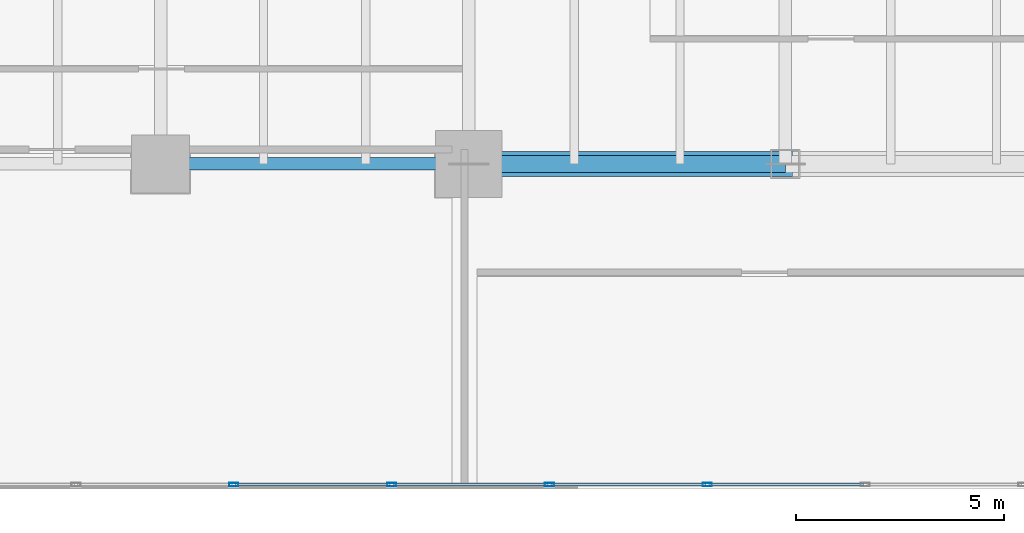
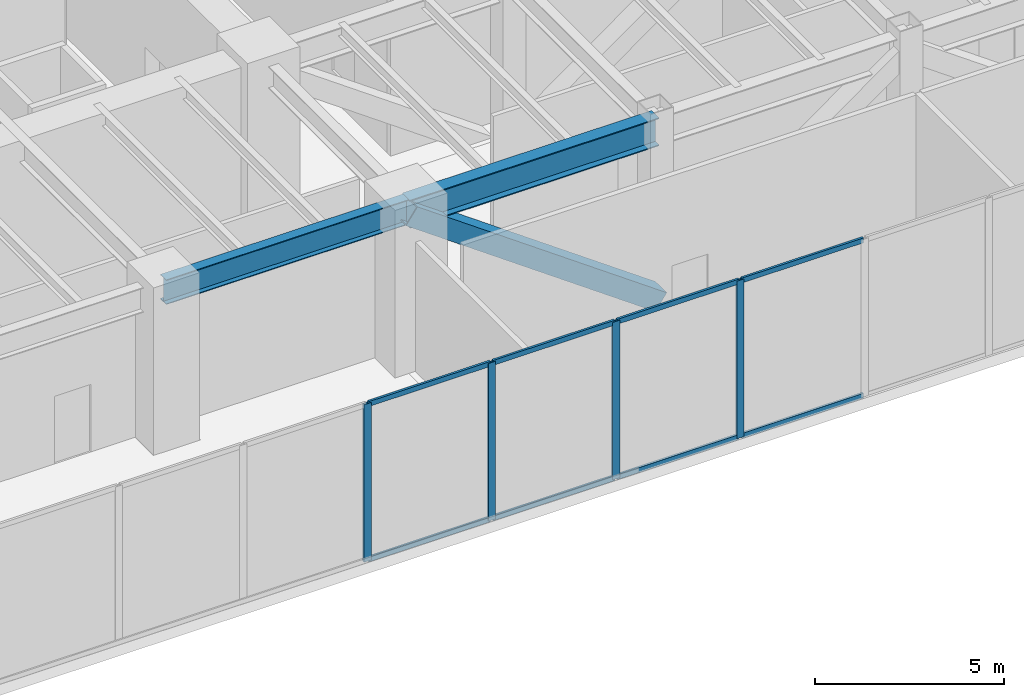
# One storey, part 4 of 35: 13 members, 2 beams, 1 element without a shape of its own.
"""IFC4 building model written with IfcOpenShell, lengths in metres."""

from ifc_helpers import new_model, si_unit, direction, frame, origin, origin_2d, place, context, subcontext, project, spatial, hollow_rectangle, i_section, extrude, source, transform, mapped, material, layer, layer_set, material_profile, profile_set, type_object, type_shapes, element, aggregate, save


model = new_model("IFC4")

# Units and contexts
model_context = context("Model", 3, precision=1e-05, world=origin(), true_north=direction((0.0, 1.0)))
body_context = subcontext(model_context, "Body", "Model", "MODEL_VIEW")
ifc_project = project(units=[si_unit("LENGTHUNIT", "METRE"), si_unit("AREAUNIT", "SQUARE_METRE"), si_unit("VOLUMEUNIT", "CUBIC_METRE"), si_unit("PLANEANGLEUNIT", "RADIAN"), si_unit("MASSUNIT", "GRAM", prefix="KILO")], contexts=[model_context])

# Site, building, storey
site_placement = place(None, origin())
site = spatial("IfcSite", under=ifc_project, at=site_placement, CompositionType="ELEMENT")
building_placement = place(site_placement, origin())
building = spatial("IfcBuilding", under=site, at=building_placement, Name="Haelvirn Gate Laboratories", CompositionType="ELEMENT")
storey_placement = place(building_placement, frame((0.0, 0.0, 19.800048828125)))
storey = spatial("IfcBuildingStorey", under=building, at=storey_placement, Name="L05", CompositionType="ELEMENT", Elevation=19.800048828125)

# Beams
ifc_material_1 = material(Name="Steel SM420", Category="steel")
ifc_material_profile_1 = material_profile(ifc_material_1, i_section(OverallWidth=0.300048828125, OverallDepth=0.800048828125, WebThickness=0.013916015625, FlangeThickness=0.02587890625, at=origin_2d()), Name="H-800x300x14x26")
ifc_profile_set_1 = profile_set([ifc_material_profile_1], Name="Steel SM420")
beam_type_1 = type_object("IfcBeamType", Name="BM-G-800", PredefinedType="BEAM", material=ifc_profile_set_1)
shared_shape_1 = source(origin(), body_context, "Body", "SweptSolid", [
    extrude(i_section(OverallWidth=0.300048828125, OverallDepth=0.800048828125, WebThickness=0.013916015625, FlangeThickness=0.02587890625, at=origin_2d()), origin(), (0.0, 0.0, 1.0), 7.39990234375),
])
type_shapes(beam_type_1, [shared_shape_1])
beam_1_placement = place(storey_placement, frame((14.800048828125, 7.0, 4.679931640625), z_axis=(1.0, 0.0, 0.0), x_axis=(0.0, 1.0, 0.0)))
element("IfcBeam", 1, at=beam_1_placement, inside=storey, type_object=beam_type_1, Name="L05 Primary Girder Y7.0 (14.8-22.2)", PredefinedType="BEAM", context=body_context, shape_type="MappedRepresentation", body=[
    mapped(shared_shape_1, transform((0.0, 0.0, 0.0), scale=1.0)),
])
ifc_material_profile_2 = material_profile(ifc_material_1, i_section(OverallWidth=0.39990234375, OverallDepth=0.89990234375, WebThickness=0.01904296875, FlangeThickness=0.031982421875, at=origin_2d()), Name="H-900x400x19x32")
ifc_profile_set_2 = profile_set([ifc_material_profile_2], Name="Steel SM420")
beam_type_2 = type_object("IfcBeamType", Name="BM-TG-900", PredefinedType="BEAM", material=ifc_profile_set_2)
shared_shape_2 = source(origin(), body_context, "Body", "SweptSolid", [
    extrude(i_section(OverallWidth=0.39990234375, OverallDepth=0.89990234375, WebThickness=0.01904296875, FlangeThickness=0.031982421875, at=origin_2d()), origin(), (0.0, 0.0, 1.0), 7.60009765625),
])
type_shapes(beam_type_2, [shared_shape_2])
beam_2_placement = place(storey_placement, frame((22.199951171875, 7.0, 4.6298828125), z_axis=(1.0, 0.0, 0.0), x_axis=(0.0, 1.0, 0.0)))
element("IfcBeam", 2, at=beam_2_placement, inside=storey, type_object=beam_type_2, Name="L05 Primary Girder Y7.0 (22.2-29.8)", PredefinedType="BEAM", context=body_context, shape_type="MappedRepresentation", body=[
    mapped(shared_shape_2, transform((0.0, 0.0, 0.0), scale=1.0)),
])

# Member
ifc_material_profile_3 = material_profile(ifc_material_1, hollow_rectangle(XDim=0.60009765625, YDim=0.60009765625, WallThickness=0.028076171875, at=origin_2d()), Name="BOX-600x600x28")
ifc_profile_set_3 = profile_set([ifc_material_profile_3], Name="Steel SM420")
member_type_1 = type_object("IfcMemberType", Name="MEM-TRUSS-DIAG", PredefinedType="BRACE", material=ifc_profile_set_3)
shared_shape_3 = source(origin(), body_context, "Body", "SweptSolid", [
    extrude(hollow_rectangle(XDim=0.60009765625, YDim=0.60009765625, WallThickness=0.028076171875, at=origin_2d()), origin(), (0.0, 0.0, 1.0), 9.340576171875),
])
type_shapes(member_type_1, [shared_shape_3])
member_1_placement = place(storey_placement, frame((22.199951171875, 7.0, 4.6298828125), z_axis=(0.813668121692, 0.0, -0.581329672167), x_axis=(0.0, 1.0, 0.0)))
element("IfcMember", 3, at=member_1_placement, inside=storey, type_object=member_type_1, Name="L05 Portal Transfer Truss Diagonal Y7.0-1", PredefinedType="BRACE", context=body_context, shape_type="MappedRepresentation", body=[
    mapped(shared_shape_3, transform((0.0, 0.0, 0.0), scale=1.0)),
])

# Curtain wall, members
ifc_material_2 = material(Name="Anodised bronze unitised aluminium & triple low-E glass", Category="aluminium")
ifc_layer = layer(ifc_material_2, 0.18798828125, Name="CW-SYS-1")
ifc_layer_set = layer_set([ifc_layer], Name="Anodised bronze unitised aluminium & triple low-E glass")
curtain_wall_type = type_object("IfcCurtainWallType", Name="CW-SYS-1", PredefinedType="NOTDEFINED", material=ifc_layer_set)
curtain_wall_placement = place(storey_placement, origin())
curtain_wall = element("IfcCurtainWall", 4, at=curtain_wall_placement, inside=storey, type_object=curtain_wall_type, Name="L05 Unitised Curtain Wall CW-L05-P0-E00-1", PredefinedType="NOTDEFINED")
ifc_material_3 = material(Name="Extruded aluminium 6063-T6 (anodised bronze)", Category="aluminium")
ifc_material_profile_4 = material_profile(ifc_material_3, hollow_rectangle(XDim=0.080078125, YDim=0.219970703125, WallThickness=0.006103515625, at=origin_2d()), Name="CWM-220x80x6")
ifc_profile_set_4 = profile_set([ifc_material_profile_4], Name="Extruded aluminium 6063-T6 (anodised bronze)")
member_type_2 = type_object("IfcMemberType", Name="CWM-T220", PredefinedType="MULLION", material=ifc_profile_set_4)
shared_shape_4 = source(origin(), body_context, "Body", "SweptSolid", [
    extrude(hollow_rectangle(XDim=0.080078125, YDim=0.219970703125, WallThickness=0.006103515625, at=origin_2d()), origin(), (0.0, 0.0, 1.0), 5.079833984375),
])
type_shapes(member_type_2, [shared_shape_4])
member_2_placement = place(storey_placement, frame((16.557861328125, -0.699951171875, 0.0), z_axis=(0.0, 0.0, 1.0), x_axis=(0.0, 1.0, 0.0)))
member_2 = element("IfcMember", 5, at=member_2_placement, type_object=member_type_2, Name="CW1 mullion 5", PredefinedType="MULLION", context=body_context, shape_type="MappedRepresentation", body=[
    mapped(shared_shape_4, transform((0.0, 0.0, 0.0), scale=1.0)),
])
member_3_placement = place(storey_placement, frame((20.347412109375, -0.699951171875, 0.0), z_axis=(0.0, 0.0, 1.0), x_axis=(0.0, 1.0, 0.0)))
member_3 = element("IfcMember", 6, at=member_3_placement, type_object=member_type_2, Name="CW1 mullion 6", PredefinedType="MULLION", context=body_context, shape_type="MappedRepresentation", body=[
    mapped(shared_shape_4, transform((0.0, 0.0, 0.0), scale=1.0)),
])
member_4_placement = place(storey_placement, frame((24.136962890625, -0.699951171875, 0.0), z_axis=(0.0, 0.0, 1.0), x_axis=(0.0, 1.0, 0.0)))
member_4 = element("IfcMember", 7, at=member_4_placement, type_object=member_type_2, Name="CW1 mullion 7", PredefinedType="MULLION", context=body_context, shape_type="MappedRepresentation", body=[
    mapped(shared_shape_4, transform((0.0, 0.0, 0.0), scale=1.0)),
])
member_5_placement = place(storey_placement, frame((27.92626953125, -0.699951171875, 0.0), z_axis=(0.0, 0.0, 1.0), x_axis=(0.0, 1.0, 0.0)))
member_5 = element("IfcMember", 8, at=member_5_placement, type_object=member_type_2, Name="CW1 mullion 8", PredefinedType="MULLION", context=body_context, shape_type="MappedRepresentation", body=[
    mapped(shared_shape_4, transform((0.0, 0.0, 0.0), scale=1.0)),
])
ifc_material_profile_5 = material_profile(ifc_material_3, hollow_rectangle(XDim=0.070068359375, YDim=0.159912109375, WallThickness=0.0048828125, at=origin_2d()), Name="CWT-160x70x5")
ifc_profile_set_5 = profile_set([ifc_material_profile_5], Name="Extruded aluminium 6063-T6 (anodised bronze)")
member_type_3 = type_object("IfcMemberType", Name="CWT-T160", PredefinedType="USERDEFINED", material=ifc_profile_set_5)
shared_shape_5 = source(origin(), body_context, "Body", "SweptSolid", [
    extrude(hollow_rectangle(XDim=0.070068359375, YDim=0.159912109375, WallThickness=0.0048828125, at=origin_2d()), origin(), (0.0, 0.0, 1.0), 3.70947265625),
])
type_shapes(member_type_3, [shared_shape_5])
member_6_placement = place(storey_placement, frame((16.597900390625, -0.699951171875, 0.034912109375), z_axis=(1.0, 0.0, 0.0), x_axis=(0.0, 1.0, 0.0)))
member_6 = element("IfcMember", 9, at=member_6_placement, type_object=member_type_3, Name="CW1 transom 5.1", ObjectType="TRANSOM", PredefinedType="USERDEFINED", context=body_context, shape_type="MappedRepresentation", body=[
    mapped(shared_shape_5, transform((0.0, 0.0, 0.0), scale=1.0)),
])
member_7_placement = place(storey_placement, frame((16.597900390625, -0.699951171875, 5.044921875), z_axis=(1.0, 0.0, 0.0), x_axis=(0.0, 1.0, 0.0)))
member_7 = element("IfcMember", 10, at=member_7_placement, type_object=member_type_3, Name="CW1 transom 5.2", ObjectType="TRANSOM", PredefinedType="USERDEFINED", context=body_context, shape_type="MappedRepresentation", body=[
    mapped(shared_shape_5, transform((0.0, 0.0, 0.0), scale=1.0)),
])
member_8_placement = place(storey_placement, frame((20.387451171875, -0.699951171875, 0.034912109375), z_axis=(1.0, 0.0, 0.0), x_axis=(0.0, 1.0, 0.0)))
member_8 = element("IfcMember", 11, at=member_8_placement, type_object=member_type_3, Name="CW1 transom 6.1", ObjectType="TRANSOM", PredefinedType="USERDEFINED", context=body_context, shape_type="MappedRepresentation", body=[
    mapped(shared_shape_5, transform((0.0, 0.0, 0.0), scale=1.0)),
])
member_9_placement = place(storey_placement, frame((20.387451171875, -0.699951171875, 5.044921875), z_axis=(1.0, 0.0, 0.0), x_axis=(0.0, 1.0, 0.0)))
member_9 = element("IfcMember", 12, at=member_9_placement, type_object=member_type_3, Name="CW1 transom 6.2", ObjectType="TRANSOM", PredefinedType="USERDEFINED", context=body_context, shape_type="MappedRepresentation", body=[
    mapped(shared_shape_5, transform((0.0, 0.0, 0.0), scale=1.0)),
])
member_10_placement = place(storey_placement, frame((24.1767578125, -0.699951171875, 0.034912109375), z_axis=(1.0, 0.0, 0.0), x_axis=(0.0, 1.0, 0.0)))
member_10 = element("IfcMember", 13, at=member_10_placement, type_object=member_type_3, Name="CW1 transom 7.1", ObjectType="TRANSOM", PredefinedType="USERDEFINED", context=body_context, shape_type="MappedRepresentation", body=[
    mapped(shared_shape_5, transform((0.0, 0.0, 0.0), scale=1.0)),
])
member_11_placement = place(storey_placement, frame((24.1767578125, -0.699951171875, 5.044921875), z_axis=(1.0, 0.0, 0.0), x_axis=(0.0, 1.0, 0.0)))
member_11 = element("IfcMember", 14, at=member_11_placement, type_object=member_type_3, Name="CW1 transom 7.2", ObjectType="TRANSOM", PredefinedType="USERDEFINED", context=body_context, shape_type="MappedRepresentation", body=[
    mapped(shared_shape_5, transform((0.0, 0.0, 0.0), scale=1.0)),
])
member_12_placement = place(storey_placement, frame((27.96630859375, -0.699951171875, 0.034912109375), z_axis=(1.0, 0.0, 0.0), x_axis=(0.0, 1.0, 0.0)))
member_12 = element("IfcMember", 15, at=member_12_placement, type_object=member_type_3, Name="CW1 transom 8.1", ObjectType="TRANSOM", PredefinedType="USERDEFINED", context=body_context, shape_type="MappedRepresentation", body=[
    mapped(shared_shape_5, transform((0.0, 0.0, 0.0), scale=1.0)),
])
member_13_placement = place(storey_placement, frame((27.96630859375, -0.699951171875, 5.044921875), z_axis=(1.0, 0.0, 0.0), x_axis=(0.0, 1.0, 0.0)))
member_13 = element("IfcMember", 16, at=member_13_placement, type_object=member_type_3, Name="CW1 transom 8.2", ObjectType="TRANSOM", PredefinedType="USERDEFINED", context=body_context, shape_type="MappedRepresentation", body=[
    mapped(shared_shape_5, transform((0.0, 0.0, 0.0), scale=1.0)),
])
aggregate(curtain_wall, [member_2, member_3, member_4, member_5, member_6, member_7, member_8, member_9, member_10, member_11, member_12, member_13])

save(model, "model.ifc")
